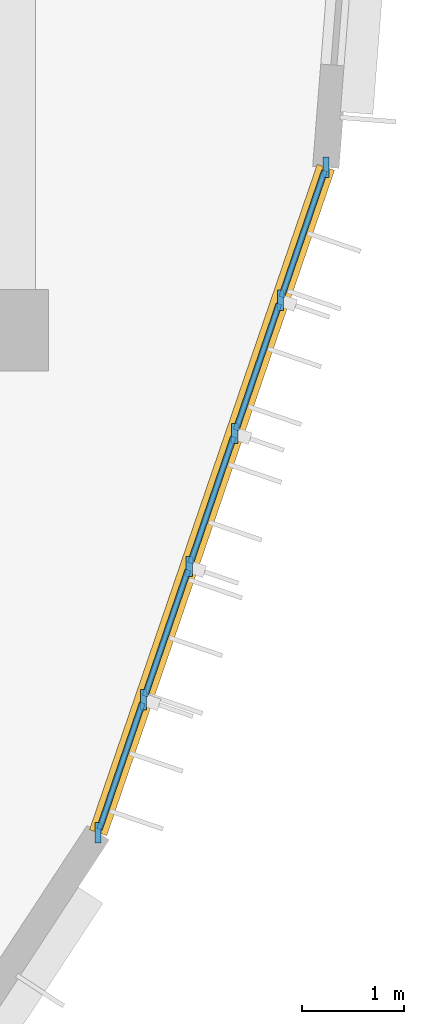
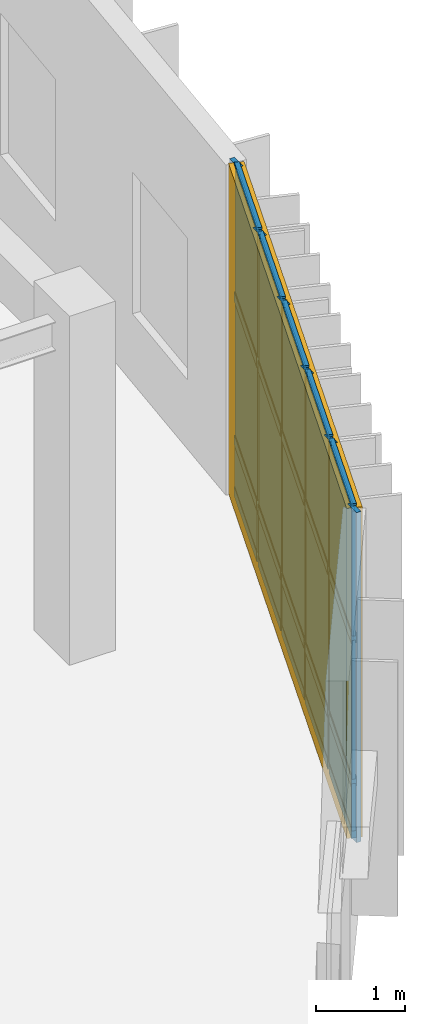
# One storey, part 100 of 122: 26 members, 15 plates, 1 curtain wall.
"""IFC4 building model written with IfcOpenShell, lengths in metres."""

from ifc_helpers import new_model, si_unit, direction, frame, frame_2d, origin, origin_2d, place, context, subcontext, project, spatial, rectangle, extrude, material, layer, layer_set, material_profile, profile_set, type_object, element, aggregate, save


model = new_model("IFC4")

# Units and contexts
model_context = context("Model", 3, precision=1e-05, world=origin(), true_north=direction((0.0, 1.0)))
body_context = subcontext(model_context, "Body", "Model", "MODEL_VIEW")
ifc_project = project(units=[si_unit("LENGTHUNIT", "METRE"), si_unit("AREAUNIT", "SQUARE_METRE"), si_unit("VOLUMEUNIT", "CUBIC_METRE"), si_unit("PLANEANGLEUNIT", "RADIAN"), si_unit("MASSUNIT", "GRAM", prefix="KILO")], contexts=[model_context])

# Member
ifc_material_1 = material(Name="Anodised Bronze Aluminium 6063-T6", Category="aluminium")
ifc_material_profile_1 = material_profile(ifc_material_1, rectangle(XDim=0.06005859375, YDim=0.199951171875, at=origin_2d()), Name="ALU MULLION 60x200")
ifc_profile_set_1 = profile_set([ifc_material_profile_1], Name="Anodised Bronze Aluminium 6063-T6")
member_type_1 = type_object("IfcMemberType", Name="Curtain-Wall Standard Mullion 60x200", PredefinedType="MULLION", material=ifc_profile_set_1)
site_placement = place(None, origin())
building_placement = place(site_placement, origin())
storey_placement = place(building_placement, origin())
member_1_placement = place(storey_placement, frame((159.7890625, 32.464599609375, 0.0), z_axis=(0.0, 0.0, 1.0), x_axis=(1.0, 0.0, 0.0)))
member_1 = element("IfcMember", 1, at=member_1_placement, type_object=member_type_1, Name="Mullion CWM-03 CW-V4-DRUM-L00-S07-M01", PredefinedType="MULLION", context=body_context, shape_type="SweptSolid", body=[
    extrude(rectangle(XDim=0.06005859375, YDim=0.199951171875, at=origin_2d()), origin(), (0.0, 0.0, 1.0), 4.5400390625),
])

member_2_placement = place(storey_placement, frame((160.236572265625, 33.772216796875, 0.0), z_axis=(0.0, 0.0, 1.0), x_axis=(1.0, 0.0, 0.0)))
member_2 = element("IfcMember", 2, at=member_2_placement, type_object=member_type_1, Name="Mullion CWM-03 CW-V4-DRUM-L00-S07-M02", PredefinedType="MULLION", context=body_context, shape_type="SweptSolid", body=[
    extrude(rectangle(XDim=0.06005859375, YDim=0.199951171875, at=origin_2d()), origin(), (0.0, 0.0, 1.0), 4.5400390625),
])

member_3_placement = place(storey_placement, frame((160.68408203125, 35.079833984375, 0.0), z_axis=(0.0, 0.0, 1.0), x_axis=(1.0, 0.0, 0.0)))
member_3 = element("IfcMember", 3, at=member_3_placement, type_object=member_type_1, Name="Mullion CWM-03 CW-V4-DRUM-L00-S07-M03", PredefinedType="MULLION", context=body_context, shape_type="SweptSolid", body=[
    extrude(rectangle(XDim=0.06005859375, YDim=0.199951171875, at=origin_2d()), origin(), (0.0, 0.0, 1.0), 4.5400390625),
])

member_4_placement = place(storey_placement, frame((161.131591796875, 36.387451171875, 0.0), z_axis=(0.0, 0.0, 1.0), x_axis=(1.0, 0.0, 0.0)))
member_4 = element("IfcMember", 4, at=member_4_placement, type_object=member_type_1, Name="Mullion CWM-03 CW-V4-DRUM-L00-S07-M04", PredefinedType="MULLION", context=body_context, shape_type="SweptSolid", body=[
    extrude(rectangle(XDim=0.06005859375, YDim=0.199951171875, at=origin_2d()), origin(), (0.0, 0.0, 1.0), 4.5400390625),
])

member_5_placement = place(storey_placement, frame((161.5791015625, 37.6953125, 0.0), z_axis=(0.0, 0.0, 1.0), x_axis=(1.0, 0.0, 0.0)))
member_5 = element("IfcMember", 5, at=member_5_placement, type_object=member_type_1, Name="Mullion CWM-03 CW-V4-DRUM-L00-S07-M05", PredefinedType="MULLION", context=body_context, shape_type="SweptSolid", body=[
    extrude(rectangle(XDim=0.06005859375, YDim=0.199951171875, at=origin_2d()), origin(), (0.0, 0.0, 1.0), 4.5400390625),
])

member_6_placement = place(storey_placement, frame((162.026611328125, 39.002685546875, 0.0), z_axis=(0.0, 0.0, 1.0), x_axis=(1.0, 0.0, 0.0)))
member_6 = element("IfcMember", 6, at=member_6_placement, type_object=member_type_1, Name="Mullion CWM-03 CW-V4-DRUM-L00-S07-M06", PredefinedType="MULLION", context=body_context, shape_type="SweptSolid", body=[
    extrude(rectangle(XDim=0.06005859375, YDim=0.199951171875, at=origin_2d()), origin(), (0.0, 0.0, 1.0), 4.5400390625),
])

ifc_material_profile_2 = material_profile(ifc_material_1, rectangle(XDim=0.06005859375, YDim=0.139892578125, at=origin_2d()), Name="ALU TRANSOM 60x140")
ifc_profile_set_2 = profile_set([ifc_material_profile_2], Name="Anodised Bronze Aluminium 6063-T6")
member_type_2 = type_object("IfcMemberType", Name="Curtain-Wall Transom 60x140", PredefinedType="USERDEFINED", material=ifc_profile_set_2)
member_7_placement = place(storey_placement, frame((159.80029296875, 32.497802734375, 0.0400390625), z_axis=(0.323810434069, 0.946121980924, 0.0), x_axis=(-0.946121980924, 0.323810434069, 0.0)))
member_7 = element("IfcMember", 7, at=member_7_placement, type_object=member_type_2, Name="Transom CWT-01 CW-V4-DRUM-L00-S07-T01.1", ObjectType="TRANSOM", PredefinedType="USERDEFINED", context=body_context, shape_type="SweptSolid", body=[
    extrude(rectangle(XDim=0.06005859375, YDim=0.139892578125, at=origin_2d()), origin(), (0.0, 0.0, 1.0), 1.31201171875),
])

member_8_placement = place(storey_placement, frame((159.80029296875, 32.497802734375, 0.75), z_axis=(0.323810434069, 0.946121980924, 0.0), x_axis=(-0.946121980924, 0.323810434069, 0.0)))
member_8 = element("IfcMember", 8, at=member_8_placement, type_object=member_type_2, Name="Transom CWT-01 CW-V4-DRUM-L00-S07-T01.2", ObjectType="TRANSOM", PredefinedType="USERDEFINED", context=body_context, shape_type="SweptSolid", body=[
    extrude(rectangle(XDim=0.06005859375, YDim=0.139892578125, at=origin_2d()), origin(), (0.0, 0.0, 1.0), 1.31201171875),
])

member_9_placement = place(storey_placement, frame((159.80029296875, 32.497802734375, 2.720703125), z_axis=(0.323810434069, 0.946121980924, 0.0), x_axis=(-0.946121980924, 0.323810434069, 0.0)))
member_9 = element("IfcMember", 9, at=member_9_placement, type_object=member_type_2, Name="Transom CWT-01 CW-V4-DRUM-L00-S07-T01.3", ObjectType="TRANSOM", PredefinedType="USERDEFINED", context=body_context, shape_type="SweptSolid", body=[
    extrude(rectangle(XDim=0.06005859375, YDim=0.139892578125, at=origin_2d()), origin(), (0.0, 0.0, 1.0), 1.31201171875),
])

member_10_placement = place(storey_placement, frame((159.80029296875, 32.497802734375, 4.5), z_axis=(0.323810434069, 0.946121980924, 0.0), x_axis=(-0.946121980924, 0.323810434069, 0.0)))
member_10 = element("IfcMember", 10, at=member_10_placement, type_object=member_type_2, Name="Transom CWT-01 CW-V4-DRUM-L00-S07-T01.4", ObjectType="TRANSOM", PredefinedType="USERDEFINED", context=body_context, shape_type="SweptSolid", body=[
    extrude(rectangle(XDim=0.06005859375, YDim=0.139892578125, at=origin_2d()), origin(), (0.0, 0.0, 1.0), 1.31201171875),
])

member_11_placement = place(storey_placement, frame((160.247802734375, 33.805419921875, 0.0400390625), z_axis=(0.323753429774, 0.946141488737, 0.0), x_axis=(-0.946141488737, 0.323753429774, 0.0)))
member_11 = element("IfcMember", 11, at=member_11_placement, type_object=member_type_2, Name="Transom CWT-01 CW-V4-DRUM-L00-S07-T02.1", ObjectType="TRANSOM", PredefinedType="USERDEFINED", context=body_context, shape_type="SweptSolid", body=[
    extrude(rectangle(XDim=0.06005859375, YDim=0.139892578125, at=origin_2d()), origin(), (0.0, 0.0, 1.0), 1.31201171875),
])

member_12_placement = place(storey_placement, frame((160.247802734375, 33.805419921875, 0.75), z_axis=(0.323753429774, 0.946141488737, 0.0), x_axis=(-0.946141488737, 0.323753429774, 0.0)))
member_12 = element("IfcMember", 12, at=member_12_placement, type_object=member_type_2, Name="Transom CWT-01 CW-V4-DRUM-L00-S07-T02.2", ObjectType="TRANSOM", PredefinedType="USERDEFINED", context=body_context, shape_type="SweptSolid", body=[
    extrude(rectangle(XDim=0.06005859375, YDim=0.139892578125, at=origin_2d()), origin(), (0.0, 0.0, 1.0), 1.31201171875),
])

member_13_placement = place(storey_placement, frame((160.247802734375, 33.805419921875, 2.720703125), z_axis=(0.323753429774, 0.946141488737, 0.0), x_axis=(-0.946141488737, 0.323753429774, 0.0)))
member_13 = element("IfcMember", 13, at=member_13_placement, type_object=member_type_2, Name="Transom CWT-01 CW-V4-DRUM-L00-S07-T02.3", ObjectType="TRANSOM", PredefinedType="USERDEFINED", context=body_context, shape_type="SweptSolid", body=[
    extrude(rectangle(XDim=0.06005859375, YDim=0.139892578125, at=origin_2d()), origin(), (0.0, 0.0, 1.0), 1.31201171875),
])

member_14_placement = place(storey_placement, frame((160.247802734375, 33.805419921875, 4.5), z_axis=(0.323753429774, 0.946141488737, 0.0), x_axis=(-0.946141488737, 0.323753429774, 0.0)))
member_14 = element("IfcMember", 14, at=member_14_placement, type_object=member_type_2, Name="Transom CWT-01 CW-V4-DRUM-L00-S07-T02.4", ObjectType="TRANSOM", PredefinedType="USERDEFINED", context=body_context, shape_type="SweptSolid", body=[
    extrude(rectangle(XDim=0.06005859375, YDim=0.139892578125, at=origin_2d()), origin(), (0.0, 0.0, 1.0), 1.31201171875),
])

member_15_placement = place(storey_placement, frame((160.6953125, 35.113037109375, 0.0400390625), z_axis=(0.323753429774, 0.946141488737, 0.0), x_axis=(-0.946141488737, 0.323753429774, 0.0)))
member_15 = element("IfcMember", 15, at=member_15_placement, type_object=member_type_2, Name="Transom CWT-01 CW-V4-DRUM-L00-S07-T03.1", ObjectType="TRANSOM", PredefinedType="USERDEFINED", context=body_context, shape_type="SweptSolid", body=[
    extrude(rectangle(XDim=0.06005859375, YDim=0.139892578125, at=origin_2d()), origin(), (0.0, 0.0, 1.0), 1.31201171875),
])

member_16_placement = place(storey_placement, frame((160.6953125, 35.113037109375, 0.75), z_axis=(0.323753429774, 0.946141488737, 0.0), x_axis=(-0.946141488737, 0.323753429774, 0.0)))
member_16 = element("IfcMember", 16, at=member_16_placement, type_object=member_type_2, Name="Transom CWT-01 CW-V4-DRUM-L00-S07-T03.2", ObjectType="TRANSOM", PredefinedType="USERDEFINED", context=body_context, shape_type="SweptSolid", body=[
    extrude(rectangle(XDim=0.06005859375, YDim=0.139892578125, at=origin_2d()), origin(), (0.0, 0.0, 1.0), 1.31201171875),
])

member_17_placement = place(storey_placement, frame((160.6953125, 35.113037109375, 2.720703125), z_axis=(0.323753429774, 0.946141488737, 0.0), x_axis=(-0.946141488737, 0.323753429774, 0.0)))
member_17 = element("IfcMember", 17, at=member_17_placement, type_object=member_type_2, Name="Transom CWT-01 CW-V4-DRUM-L00-S07-T03.3", ObjectType="TRANSOM", PredefinedType="USERDEFINED", context=body_context, shape_type="SweptSolid", body=[
    extrude(rectangle(XDim=0.06005859375, YDim=0.139892578125, at=origin_2d()), origin(), (0.0, 0.0, 1.0), 1.31201171875),
])

member_18_placement = place(storey_placement, frame((160.6953125, 35.113037109375, 4.5), z_axis=(0.323753429774, 0.946141488737, 0.0), x_axis=(-0.946141488737, 0.323753429774, 0.0)))
member_18 = element("IfcMember", 18, at=member_18_placement, type_object=member_type_2, Name="Transom CWT-01 CW-V4-DRUM-L00-S07-T03.4", ObjectType="TRANSOM", PredefinedType="USERDEFINED", context=body_context, shape_type="SweptSolid", body=[
    extrude(rectangle(XDim=0.06005859375, YDim=0.139892578125, at=origin_2d()), origin(), (0.0, 0.0, 1.0), 1.31201171875),
])

member_19_placement = place(storey_placement, frame((161.142822265625, 36.420654296875, 0.0400390625), z_axis=(0.323753429774, 0.946141488737, 0.0), x_axis=(-0.946141488737, 0.323753429774, 0.0)))
member_19 = element("IfcMember", 19, at=member_19_placement, type_object=member_type_2, Name="Transom CWT-01 CW-V4-DRUM-L00-S07-T04.1", ObjectType="TRANSOM", PredefinedType="USERDEFINED", context=body_context, shape_type="SweptSolid", body=[
    extrude(rectangle(XDim=0.06005859375, YDim=0.139892578125, at=origin_2d()), origin(), (0.0, 0.0, 1.0), 1.31201171875),
])

member_20_placement = place(storey_placement, frame((161.142822265625, 36.420654296875, 0.75), z_axis=(0.323753429774, 0.946141488737, 0.0), x_axis=(-0.946141488737, 0.323753429774, 0.0)))
member_20 = element("IfcMember", 20, at=member_20_placement, type_object=member_type_2, Name="Transom CWT-01 CW-V4-DRUM-L00-S07-T04.2", ObjectType="TRANSOM", PredefinedType="USERDEFINED", context=body_context, shape_type="SweptSolid", body=[
    extrude(rectangle(XDim=0.06005859375, YDim=0.139892578125, at=origin_2d()), origin(), (0.0, 0.0, 1.0), 1.31201171875),
])

member_21_placement = place(storey_placement, frame((161.142822265625, 36.420654296875, 2.720703125), z_axis=(0.323753429774, 0.946141488737, 0.0), x_axis=(-0.946141488737, 0.323753429774, 0.0)))
member_21 = element("IfcMember", 21, at=member_21_placement, type_object=member_type_2, Name="Transom CWT-01 CW-V4-DRUM-L00-S07-T04.3", ObjectType="TRANSOM", PredefinedType="USERDEFINED", context=body_context, shape_type="SweptSolid", body=[
    extrude(rectangle(XDim=0.06005859375, YDim=0.139892578125, at=origin_2d()), origin(), (0.0, 0.0, 1.0), 1.31201171875),
])

member_22_placement = place(storey_placement, frame((161.142822265625, 36.420654296875, 4.5), z_axis=(0.323753429774, 0.946141488737, 0.0), x_axis=(-0.946141488737, 0.323753429774, 0.0)))
member_22 = element("IfcMember", 22, at=member_22_placement, type_object=member_type_2, Name="Transom CWT-01 CW-V4-DRUM-L00-S07-T04.4", ObjectType="TRANSOM", PredefinedType="USERDEFINED", context=body_context, shape_type="SweptSolid", body=[
    extrude(rectangle(XDim=0.06005859375, YDim=0.139892578125, at=origin_2d()), origin(), (0.0, 0.0, 1.0), 1.31201171875),
])

member_23_placement = place(storey_placement, frame((161.59033203125, 37.728271484375, 0.0400390625), z_axis=(0.323753429774, 0.946141488737, 0.0), x_axis=(-0.946141488737, 0.323753429774, 0.0)))
member_23 = element("IfcMember", 23, at=member_23_placement, type_object=member_type_2, Name="Transom CWT-01 CW-V4-DRUM-L00-S07-T05.1", ObjectType="TRANSOM", PredefinedType="USERDEFINED", context=body_context, shape_type="SweptSolid", body=[
    extrude(rectangle(XDim=0.06005859375, YDim=0.139892578125, at=origin_2d()), origin(), (0.0, 0.0, 1.0), 1.31201171875),
])

member_24_placement = place(storey_placement, frame((161.59033203125, 37.728271484375, 0.75), z_axis=(0.323753429774, 0.946141488737, 0.0), x_axis=(-0.946141488737, 0.323753429774, 0.0)))
member_24 = element("IfcMember", 24, at=member_24_placement, type_object=member_type_2, Name="Transom CWT-01 CW-V4-DRUM-L00-S07-T05.2", ObjectType="TRANSOM", PredefinedType="USERDEFINED", context=body_context, shape_type="SweptSolid", body=[
    extrude(rectangle(XDim=0.06005859375, YDim=0.139892578125, at=origin_2d()), origin(), (0.0, 0.0, 1.0), 1.31201171875),
])

member_25_placement = place(storey_placement, frame((161.59033203125, 37.728271484375, 2.720703125), z_axis=(0.323753429774, 0.946141488737, 0.0), x_axis=(-0.946141488737, 0.323753429774, 0.0)))
member_25 = element("IfcMember", 25, at=member_25_placement, type_object=member_type_2, Name="Transom CWT-01 CW-V4-DRUM-L00-S07-T05.3", ObjectType="TRANSOM", PredefinedType="USERDEFINED", context=body_context, shape_type="SweptSolid", body=[
    extrude(rectangle(XDim=0.06005859375, YDim=0.139892578125, at=origin_2d()), origin(), (0.0, 0.0, 1.0), 1.31201171875),
])

member_26_placement = place(storey_placement, frame((161.59033203125, 37.728271484375, 4.5), z_axis=(0.323753429774, 0.946141488737, 0.0), x_axis=(-0.946141488737, 0.323753429774, 0.0)))
member_26 = element("IfcMember", 26, at=member_26_placement, type_object=member_type_2, Name="Transom CWT-01 CW-V4-DRUM-L00-S07-T05.4", ObjectType="TRANSOM", PredefinedType="USERDEFINED", context=body_context, shape_type="SweptSolid", body=[
    extrude(rectangle(XDim=0.06005859375, YDim=0.139892578125, at=origin_2d()), origin(), (0.0, 0.0, 1.0), 1.31201171875),
])

# Plate
ifc_material_2 = material(Name="Insulated Bronze Aluminium Spandrel Panel", Category="aluminium")
ifc_layer_1 = layer(ifc_material_2, 0.050048828125, Name="Insulated Bronze Aluminium Spandrel Panel")
ifc_layer_set_1 = layer_set([ifc_layer_1], Name="Insulated Bronze Aluminium Spandrel Panel")
plate_type_1 = type_object("IfcPlateType", Name="Insulated Anodised Aluminium Spandrel Cassette 50", PredefinedType="CURTAIN_PANEL", material=ifc_layer_set_1)
plate_1_placement = place(storey_placement, frame((160.0126953125, 33.118408203125, 0.070068359375), z_axis=(0.0, 0.0, 1.0), x_axis=(0.323785316605, 0.946130577009, 0.0)))
plate_1 = element("IfcPlate", 27, at=plate_1_placement, type_object=plate_type_1, Name="Curtain Panel CWP-03 CW-V4-DRUM-L00-S07-P01.1", PredefinedType="CURTAIN_PANEL", context=body_context, shape_type="SweptSolid", body=[
    extrude(rectangle(XDim=1.31201171875, YDim=0.050048828125, at=origin_2d()), origin(), (0.0, 0.0, 1.0), 0.64990234375),
])

plate_2_placement = place(storey_placement, frame((160.460205078125, 34.426025390625, 0.070068359375), z_axis=(0.0, 0.0, 1.0), x_axis=(0.323785316605, 0.946130577009, 0.0)))
plate_2 = element("IfcPlate", 28, at=plate_2_placement, type_object=plate_type_1, Name="Curtain Panel CWP-03 CW-V4-DRUM-L00-S07-P02.1", PredefinedType="CURTAIN_PANEL", context=body_context, shape_type="SweptSolid", body=[
    extrude(rectangle(XDim=1.31201171875, YDim=0.050048828125, at=origin_2d()), origin(), (0.0, 0.0, 1.0), 0.64990234375),
])

plate_3_placement = place(storey_placement, frame((160.90771484375, 35.733642578125, 0.070068359375), z_axis=(0.0, 0.0, 1.0), x_axis=(0.323785316605, 0.946130577009, 0.0)))
plate_3 = element("IfcPlate", 29, at=plate_3_placement, type_object=plate_type_1, Name="Curtain Panel CWP-03 CW-V4-DRUM-L00-S07-P03.1", PredefinedType="CURTAIN_PANEL", context=body_context, shape_type="SweptSolid", body=[
    extrude(rectangle(XDim=1.31201171875, YDim=0.050048828125, at=origin_2d()), origin(), (0.0, 0.0, 1.0), 0.64990234375),
])

plate_4_placement = place(storey_placement, frame((161.355224609375, 37.041259765625, 0.070068359375), z_axis=(0.0, 0.0, 1.0), x_axis=(0.323785316605, 0.946130577009, 0.0)))
plate_4 = element("IfcPlate", 30, at=plate_4_placement, type_object=plate_type_1, Name="Curtain Panel CWP-03 CW-V4-DRUM-L00-S07-P04.1", PredefinedType="CURTAIN_PANEL", context=body_context, shape_type="SweptSolid", body=[
    extrude(rectangle(XDim=1.31201171875, YDim=0.050048828125, at=origin_2d()), origin(), (0.0, 0.0, 1.0), 0.64990234375),
])

plate_5_placement = place(storey_placement, frame((161.802734375, 38.34912109375, 0.070068359375), z_axis=(0.0, 0.0, 1.0), x_axis=(0.323785316605, 0.946130577009, 0.0)))
plate_5 = element("IfcPlate", 31, at=plate_5_placement, type_object=plate_type_1, Name="Curtain Panel CWP-03 CW-V4-DRUM-L00-S07-P05.1", PredefinedType="CURTAIN_PANEL", context=body_context, shape_type="SweptSolid", body=[
    extrude(rectangle(XDim=1.31201171875, YDim=0.050048828125, at=origin_2d()), origin(), (0.0, 0.0, 1.0), 0.64990234375),
])

ifc_material_3 = material(Name="Solar-Control Tempered Double Glazing", Category="glass")
ifc_layer_2 = layer(ifc_material_3, 0.0380859375, Name="Solar-Control Tempered Double Glazing")
ifc_layer_set_2 = layer_set([ifc_layer_2], Name="Solar-Control Tempered Double Glazing")
plate_type_2 = type_object("IfcPlateType", Name="Solar-Control Vision Glazing Unit 38", PredefinedType="CURTAIN_PANEL", material=ifc_layer_set_2)
plate_6_placement = place(storey_placement, frame((160.0126953125, 33.118408203125, 0.77978515625), z_axis=(0.0, 0.0, 1.0), x_axis=(0.323785316605, 0.946130577009, 0.0)))
plate_6 = element("IfcPlate", 32, at=plate_6_placement, type_object=plate_type_2, Name="Curtain Panel CWP-02 CW-V4-DRUM-L00-S07-P01.2", PredefinedType="CURTAIN_PANEL", context=body_context, shape_type="SweptSolid", body=[
    extrude(rectangle(XDim=1.31201171875, YDim=0.0380859375, at=origin_2d()), origin(), (0.0, 0.0, 1.0), 1.910888671875),
])

plate_7_placement = place(storey_placement, frame((160.0126953125, 33.118408203125, 2.750732421875), z_axis=(0.0, 0.0, 1.0), x_axis=(0.323785316605, 0.946130577009, 0.0)))
plate_7 = element("IfcPlate", 33, at=plate_7_placement, type_object=plate_type_2, Name="Curtain Panel CWP-02 CW-V4-DRUM-L00-S07-P01.3", PredefinedType="CURTAIN_PANEL", context=body_context, shape_type="SweptSolid", body=[
    extrude(rectangle(XDim=1.31201171875, YDim=0.0380859375, at=origin_2d()), origin(), (0.0, 0.0, 1.0), 1.71923828125),
])

plate_8_placement = place(storey_placement, frame((160.460205078125, 34.426025390625, 0.77978515625), z_axis=(0.0, 0.0, 1.0), x_axis=(0.323785316605, 0.946130577009, 0.0)))
plate_8 = element("IfcPlate", 34, at=plate_8_placement, type_object=plate_type_2, Name="Curtain Panel CWP-02 CW-V4-DRUM-L00-S07-P02.2", PredefinedType="CURTAIN_PANEL", context=body_context, shape_type="SweptSolid", body=[
    extrude(rectangle(XDim=1.31201171875, YDim=0.0380859375, at=origin_2d()), origin(), (0.0, 0.0, 1.0), 1.910888671875),
])

plate_9_placement = place(storey_placement, frame((160.460205078125, 34.426025390625, 2.750732421875), z_axis=(0.0, 0.0, 1.0), x_axis=(0.323785316605, 0.946130577009, 0.0)))
plate_9 = element("IfcPlate", 35, at=plate_9_placement, type_object=plate_type_2, Name="Curtain Panel CWP-02 CW-V4-DRUM-L00-S07-P02.3", PredefinedType="CURTAIN_PANEL", context=body_context, shape_type="SweptSolid", body=[
    extrude(rectangle(XDim=1.31201171875, YDim=0.0380859375, at=origin_2d()), origin(), (0.0, 0.0, 1.0), 1.71923828125),
])

plate_10_placement = place(storey_placement, frame((160.90771484375, 35.733642578125, 0.77978515625), z_axis=(0.0, 0.0, 1.0), x_axis=(0.323785316605, 0.946130577009, 0.0)))
plate_10 = element("IfcPlate", 36, at=plate_10_placement, type_object=plate_type_2, Name="Curtain Panel CWP-02 CW-V4-DRUM-L00-S07-P03.2", PredefinedType="CURTAIN_PANEL", context=body_context, shape_type="SweptSolid", body=[
    extrude(rectangle(XDim=1.31201171875, YDim=0.0380859375, at=origin_2d()), origin(), (0.0, 0.0, 1.0), 1.910888671875),
])

plate_11_placement = place(storey_placement, frame((160.90771484375, 35.733642578125, 2.750732421875), z_axis=(0.0, 0.0, 1.0), x_axis=(0.323785316605, 0.946130577009, 0.0)))
plate_11 = element("IfcPlate", 37, at=plate_11_placement, type_object=plate_type_2, Name="Curtain Panel CWP-02 CW-V4-DRUM-L00-S07-P03.3", PredefinedType="CURTAIN_PANEL", context=body_context, shape_type="SweptSolid", body=[
    extrude(rectangle(XDim=1.31201171875, YDim=0.0380859375, at=origin_2d()), origin(), (0.0, 0.0, 1.0), 1.71923828125),
])

plate_12_placement = place(storey_placement, frame((161.355224609375, 37.041259765625, 0.77978515625), z_axis=(0.0, 0.0, 1.0), x_axis=(0.323785316605, 0.946130577009, 0.0)))
plate_12 = element("IfcPlate", 38, at=plate_12_placement, type_object=plate_type_2, Name="Curtain Panel CWP-02 CW-V4-DRUM-L00-S07-P04.2", PredefinedType="CURTAIN_PANEL", context=body_context, shape_type="SweptSolid", body=[
    extrude(rectangle(XDim=1.31201171875, YDim=0.0380859375, at=origin_2d()), origin(), (0.0, 0.0, 1.0), 1.910888671875),
])

plate_13_placement = place(storey_placement, frame((161.355224609375, 37.041259765625, 2.750732421875), z_axis=(0.0, 0.0, 1.0), x_axis=(0.323785316605, 0.946130577009, 0.0)))
plate_13 = element("IfcPlate", 39, at=plate_13_placement, type_object=plate_type_2, Name="Curtain Panel CWP-02 CW-V4-DRUM-L00-S07-P04.3", PredefinedType="CURTAIN_PANEL", context=body_context, shape_type="SweptSolid", body=[
    extrude(rectangle(XDim=1.31201171875, YDim=0.0380859375, at=origin_2d()), origin(), (0.0, 0.0, 1.0), 1.71923828125),
])

plate_14_placement = place(storey_placement, frame((161.802734375, 38.34912109375, 0.77978515625), z_axis=(0.0, 0.0, 1.0), x_axis=(0.323785316605, 0.946130577009, 0.0)))
plate_14 = element("IfcPlate", 40, at=plate_14_placement, type_object=plate_type_2, Name="Curtain Panel CWP-02 CW-V4-DRUM-L00-S07-P05.2", PredefinedType="CURTAIN_PANEL", context=body_context, shape_type="SweptSolid", body=[
    extrude(rectangle(XDim=1.31201171875, YDim=0.0380859375, at=origin_2d()), origin(), (0.0, 0.0, 1.0), 1.910888671875),
])

plate_15_placement = place(storey_placement, frame((161.802734375, 38.34912109375, 2.750732421875), z_axis=(0.0, 0.0, 1.0), x_axis=(0.323785316605, 0.946130577009, 0.0)))
plate_15 = element("IfcPlate", 41, at=plate_15_placement, type_object=plate_type_2, Name="Curtain Panel CWP-02 CW-V4-DRUM-L00-S07-P05.3", PredefinedType="CURTAIN_PANEL", context=body_context, shape_type="SweptSolid", body=[
    extrude(rectangle(XDim=1.31201171875, YDim=0.0380859375, at=origin_2d()), origin(), (0.0, 0.0, 1.0), 1.71923828125),
])

# Site, building, storey
site = spatial("IfcSite", under=ifc_project, at=site_placement, CompositionType="ELEMENT")
building = spatial("IfcBuilding", under=site, at=building_placement, Name="Tazoul Stagehouse", CompositionType="ELEMENT")
storey = spatial("IfcBuildingStorey", under=building, at=storey_placement, Name="L00", CompositionType="ELEMENT", Elevation=0.0)

# Curtain wall
curtain_wall_type = type_object("IfcCurtainWallType", Name="Studio Drum Faceted Curtain Wall", PredefinedType="NOTDEFINED", material=ifc_material_1)
curtain_wall_placement = place(storey_placement, frame((159.7890625, 32.464599609375, 0.0), z_axis=(0.0, 0.0, 1.0), x_axis=(0.323795877985, 0.946126962622, 0.0)))
curtain_wall = element("IfcCurtainWall", 42, at=curtain_wall_placement, inside=storey, type_object=curtain_wall_type, Name="L00 Curtain Wall CW-03 (CW-V4-DRUM-L00-S07)", PredefinedType="NOTDEFINED", context=body_context, shape_type="SweptSolid", body=[
    extrude(rectangle(XDim=6.910400390625, YDim=0.179931640625, at=frame_2d((3.455078125, 0.0))), origin(), (0.0, 0.0, 1.0), 4.5400390625),
])

aggregate(curtain_wall, [member_1, member_2, member_3, member_4, member_5, member_6, member_7, member_8, member_9, member_10, plate_1, plate_6, plate_7, member_11, member_12, member_13, member_14, plate_2, plate_8, plate_9, member_15, member_16, member_17, member_18, plate_3, plate_10, plate_11, member_19, member_20, member_21, member_22, plate_4, plate_12, plate_13, member_23, member_24, member_25, member_26, plate_5, plate_14, plate_15])

save(model, "model.ifc")
